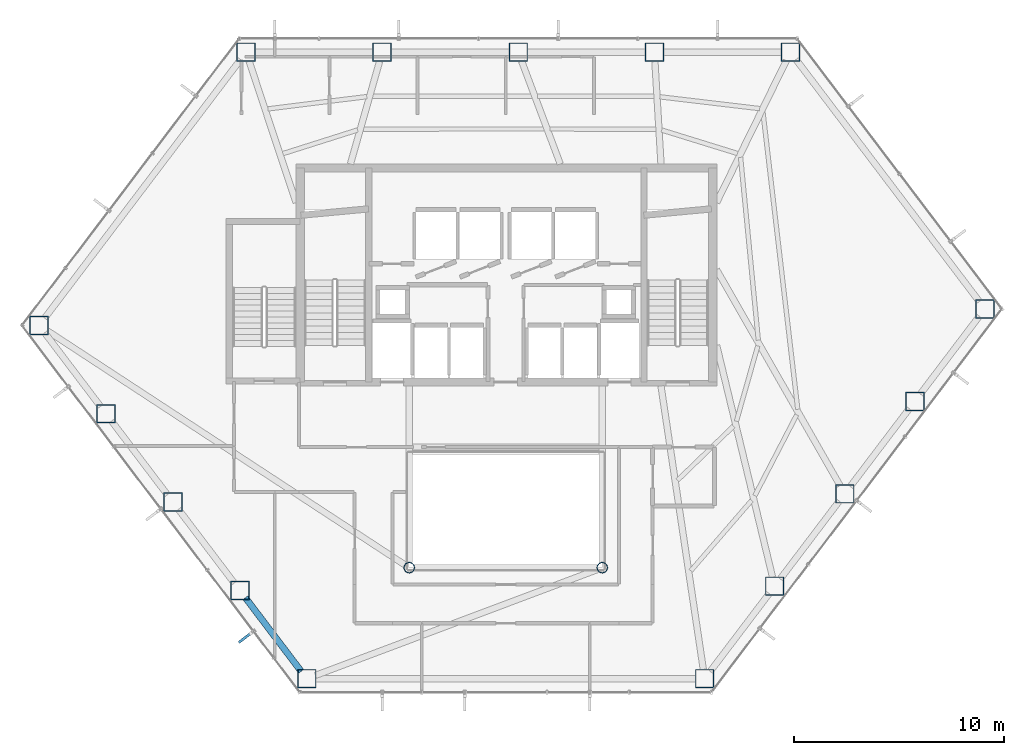
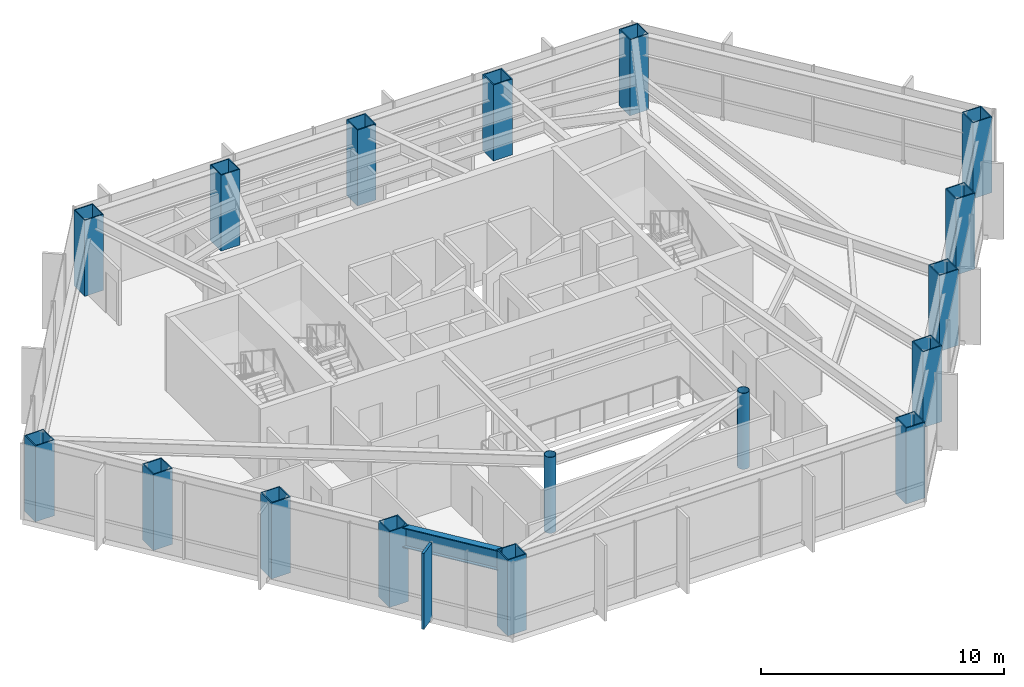
# One storey, part 1 of 25: 17 columns, 1 beam, 1 member, 1 element without a shape of its own.
"""IFC4 building model written with IfcOpenShell, lengths in metres."""

from ifc_helpers import new_model, si_unit, direction, frame, origin, origin_2d, place, context, subcontext, project, spatial, rectangle, hollow_rectangle, hollow_circle, i_section, extrude, material, layer, layer_set, material_profile, profile_set, type_object, element, aggregate, save


model = new_model("IFC4")

# Units and contexts
model_context = context("Model", 3, precision=1e-05, world=origin(), true_north=direction((0.0, 1.0)))
body_context = subcontext(model_context, "Body", "Model", "MODEL_VIEW")
ifc_project = project(units=[si_unit("LENGTHUNIT", "METRE"), si_unit("AREAUNIT", "SQUARE_METRE"), si_unit("VOLUMEUNIT", "CUBIC_METRE"), si_unit("PLANEANGLEUNIT", "RADIAN"), si_unit("MASSUNIT", "GRAM", prefix="KILO")], contexts=[model_context])

# Site, building, storey
site_placement = place(None, origin())
site = spatial("IfcSite", under=ifc_project, at=site_placement, CompositionType="ELEMENT")
building_placement = place(site_placement, origin())
building = spatial("IfcBuilding", under=site, at=building_placement, Name="Zarrinselat Tower", CompositionType="ELEMENT")
storey_placement = place(building_placement, frame((0.0, 0.0, 88.739990234375)))
storey = spatial("IfcBuildingStorey", under=building, at=storey_placement, Name="L21", CompositionType="ELEMENT", Elevation=88.739990234375)

# Columns
ifc_material_1 = material(Name="Steel S355J2", Category="steel")
ifc_material_profile_1 = material_profile(ifc_material_1, hollow_circle(Radius=0.25390625, WallThickness=0.02001953125, at=origin_2d()), Name="CHS 508x20")
ifc_profile_set_1 = profile_set([ifc_material_profile_1], Name="Steel S355J2")
column_type_1 = type_object("IfcColumnType", Name="COL-CHS508", PredefinedType="COLUMN", material=ifc_profile_set_1)
for number, where, z_axis, x_axis, name in (
    (1, (33.800048828125, 24.39990234375, 0.0), (0.0, 0.0, 1.0), (1.0, 0.0, 0.0), "L21 Atrium Corner Column 1"),
    (2, (43.0, 24.39990234375, 0.0), (0.0, 0.0, 1.0), (1.0, 0.0, 0.0), "L21 Atrium Corner Column 2"),
):
    element("IfcColumn", number, at=place(storey_placement, frame(where, z_axis=z_axis, x_axis=x_axis)), inside=storey, type_object=column_type_1, Name=name, PredefinedType="COLUMN", context=body_context, shape_type="SweptSolid", body=[
        extrude(hollow_circle(Radius=0.25390625, WallThickness=0.02001953125, at=origin_2d()), origin(), (0.0, 0.0, 1.0), 3.820068359375),
    ])
ifc_material_2 = material(Name="Steel S460M", Category="steel")
ifc_material_profile_2 = material_profile(ifc_material_2, hollow_rectangle(XDim=0.89990234375, YDim=0.89990234375, WallThickness=0.044921875, at=origin_2d()), Name="SHS 900x900x45")
ifc_profile_set_2 = profile_set([ifc_material_profile_2], Name="Steel S460M")
column_type_2 = type_object("IfcColumnType", Name="COL-SHS900", PredefinedType="COLUMN", material=ifc_profile_set_2)
for number, where, z_axis, x_axis, name in (
    (3, (51.968505859375, 48.966796875, 0.0), (0.0, 0.0, 1.0), (1.0, 0.0, 0.0), "L21 Framed-Tube Column T01"),
    (4, (45.483154296875, 48.966796875, 0.0), (0.0, 0.0, 1.0), (1.0, 0.0, 0.0), "L21 Framed-Tube Column T02"),
    (5, (38.998046875, 48.966796875, 0.0), (0.0, 0.0, 1.0), (1.0, 0.0, 0.0), "L21 Framed-Tube Column T03"),
    (6, (32.5126953125, 48.966796875, 0.0), (0.0, 0.0, 1.0), (1.0, 0.0, 0.0), "L21 Framed-Tube Column T04"),
    (7, (26.027587890625, 48.966796875, 0.0), (0.0, 0.0, 1.0), (1.0, 0.0, 0.0), "L21 Framed-Tube Column T05"),
    (8, (16.1630859375, 35.94580078125, 0.0), (0.0, 0.0, 1.0), (1.0, 0.0, 0.0), "L21 Framed-Tube Column T06"),
    (9, (19.351806640625, 31.73681640625, 0.0), (0.0, 0.0, 1.0), (1.0, 0.0, 0.0), "L21 Framed-Tube Column T07"),
    (10, (22.540283203125, 27.52783203125, 0.0), (0.0, 0.0, 1.0), (1.0, 0.0, 0.0), "L21 Framed-Tube Column T08"),
    (11, (25.72900390625, 23.31884765625, 0.0), (0.0, 0.0, 1.0), (1.0, 0.0, 0.0), "L21 Framed-Tube Column T09"),
    (12, (28.91748046875, 19.110107421875, 0.0), (0.0, 0.0, 1.0), (1.0, 0.0, 0.0), "L21 Framed-Tube Column T10"),
    (13, (47.882568359375, 19.110107421875, 0.0), (0.0, 0.0, 1.0), (1.0, 0.0, 0.0), "L21 Framed-Tube Column T11"),
    (14, (51.220703125, 23.516357421875, 0.0), (0.0, 0.0, 1.0), (1.0, 0.0, 0.0), "L21 Framed-Tube Column T12"),
    (15, (54.55859375, 27.922607421875, 0.0), (0.0, 0.0, 1.0), (1.0, 0.0, 0.0), "L21 Framed-Tube Column T13"),
    (16, (57.896728515625, 32.328857421875, 0.0), (0.0, 0.0, 1.0), (1.0, 0.0, 0.0), "L21 Framed-Tube Column T14"),
    (17, (61.23486328125, 36.735107421875, 0.0), (0.0, 0.0, 1.0), (1.0, 0.0, 0.0), "L21 Framed-Tube Column T15"),
):
    element("IfcColumn", number, at=place(storey_placement, frame(where, z_axis=z_axis, x_axis=x_axis)), inside=storey, type_object=column_type_2, Name=name, PredefinedType="COLUMN", context=body_context, shape_type="SweptSolid", body=[
        extrude(hollow_rectangle(XDim=0.89990234375, YDim=0.89990234375, WallThickness=0.044921875, at=origin_2d()), origin(), (0.0, 0.0, 1.0), 3.820068359375),
    ])

# Beam
ifc_material_3 = material(Name="Steel S460M", Category="steel")
ifc_material_profile_3 = material_profile(ifc_material_3, i_section(OverallWidth=0.302001953125, OverallDepth=1.008056640625, WebThickness=0.02099609375, FlangeThickness=0.0400390625, at=origin_2d()), Name="HEM 1000")
ifc_profile_set_3 = profile_set([ifc_material_profile_3], Name="Steel S460M")
beam_type = type_object("IfcBeamType", Name="BM-HEM1000", PredefinedType="BEAM", material=ifc_profile_set_3)
beam_placement = place(storey_placement, frame((25.993408203125, 22.9697265625, 3.31591796875), z_axis=(0.603824602706, -0.797117211687, 0.0), x_axis=(0.797117211687, 0.603824602706, 0.0)))
element("IfcBeam", 18, at=beam_placement, inside=storey, type_object=beam_type, Name="L21 Perimeter Spandrel Girder SP09", PredefinedType="BEAM", context=body_context, shape_type="SweptSolid", body=[
    extrude(i_section(OverallWidth=0.302001953125, OverallDepth=1.008056640625, WebThickness=0.02099609375, FlangeThickness=0.0400390625, at=origin_2d()), origin(), (0.0, 0.0, 1.0), 4.404296875),
])

# Curtain wall, member
ifc_material_4 = material(Name="Extruded Aluminium Alloy EN AW-6063 T6", Category="aluminium")
ifc_layer = layer(ifc_material_4, 0.18505859375)
ifc_layer_set = layer_set([ifc_layer], Name="Extruded Aluminium Alloy EN AW-6063 T6")
curtain_wall_type = type_object("IfcCurtainWallType", Name="CWS-OFF", PredefinedType="NOTDEFINED", material=ifc_layer_set)
curtain_wall_placement = place(storey_placement, origin())
curtain_wall = element("IfcCurtainWall", 19, at=curtain_wall_placement, inside=storey, type_object=curtain_wall_type, Name="L21 Unitised Curtain Wall CW-L21-E03", PredefinedType="NOTDEFINED")
ifc_material_5 = material(Name="Honed Cream Travertine Stone", Category="masonry")
ifc_material_profile_4 = material_profile(ifc_material_5, rectangle(XDim=0.1201171875, YDim=0.85009765625, at=origin_2d()), Name="FIN 850x120")
ifc_profile_set_4 = profile_set([ifc_material_profile_4], Name="Honed Cream Travertine Stone")
member_type = type_object("IfcMemberType", Name="MEM-STONE-FIN", PredefinedType="USERDEFINED", material=ifc_profile_set_4)
member_placement = place(storey_placement, frame((26.02001953125, 21.096435546875, 0.0), z_axis=(0.0, 0.0, 1.0), x_axis=(-0.603856459269, 0.797093079006, 0.0)))
member = element("IfcMember", 20, at=member_placement, type_object=member_type, Name="L21 Stone Shading Fin CW-L21-E03-05", ObjectType="FIN", PredefinedType="USERDEFINED", context=body_context, shape_type="SweptSolid", body=[
    extrude(rectangle(XDim=0.1201171875, YDim=0.85009765625, at=origin_2d()), origin(), (0.0, 0.0, 1.0), 3.820068359375),
])
aggregate(curtain_wall, [member])

save(model, "model.ifc")
